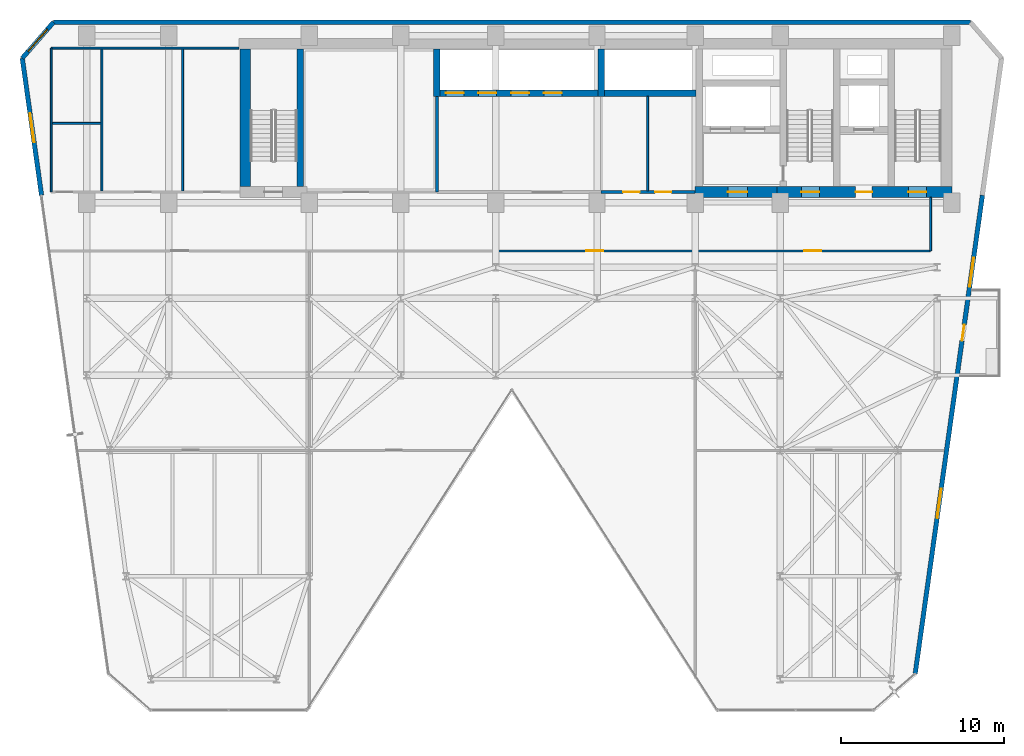
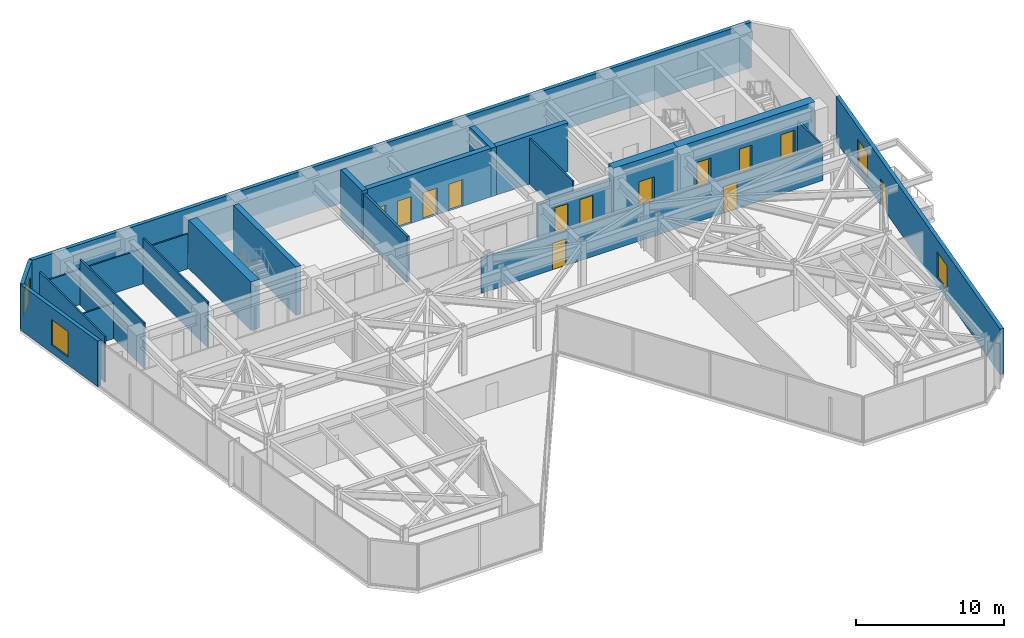
# One storey, part 22 of 26: 22 walls, 13 doors, 4 windows, 17 openings.
"""IFC4 building model written with IfcOpenShell, lengths in metres."""

import ifcopenshell
import ifcopenshell.guid

model = None  # the IFC model being written
_history = None  # IfcOwnerHistory: only IFC2X3 demands one
_inside = {}  # id of a spatial element -> (the spatial element, [elements in it])
_under = {}  # id of a project, library or spatial element -> (it, [spatial elements below it])
_declared = {}  # id of a project -> (the project, [libraries it declares])
_typed = {}  # id of a type object -> (the type object, [elements of that type])
_made_of = {}  # id of a material, layer set ... -> (it, [elements and type objects made of it])


def new_model(schema):
    """Start an empty IFC model of exactly this schema.

    Asked for "IFC4X3", IfcOpenShell would pick the latest addendum, in which some entities
    have other attributes; the version numbers below select the first issue.
    IFC2X3 requires an IfcOwnerHistory on every rooted entity: one is made here for all.
    """
    global model, _history
    if schema == "IFC4X3":
        model = ifcopenshell.file(schema_version=(4, 3, 0, 0))
    else:
        model = ifcopenshell.file(schema=schema)
    _inside.clear()
    _under.clear()
    _declared.clear()
    _typed.clear()
    _made_of.clear()
    _history = None
    if model.schema == "IFC2X3":
        org = make("IfcOrganization", Name="unknown")
        user = make(
            "IfcPersonAndOrganization",
            ThePerson=make("IfcPerson", FamilyName="unknown"),
            TheOrganization=org,
        )
        app = make(
            "IfcApplication",
            ApplicationDeveloper=org,
            Version="unknown",
            ApplicationFullName="unknown",
            ApplicationIdentifier="unknown",
        )
        _history = make(
            "IfcOwnerHistory",
            OwningUser=user,
            OwningApplication=app,
            ChangeAction="ADDED",
            CreationDate=0,
        )
    return model


def make(cls, **values):
    """One entity of the class cls with the attributes given. An attribute that is None is left unset."""
    return model.create_entity(
        cls, **{name: value for name, value in values.items() if value is not None}
    )


def rooted(cls, **values):
    """An entity with a GlobalId (a new one), such as an element, a storey or a relation."""
    return make(cls, GlobalId=ifcopenshell.guid.new(), OwnerHistory=_history, **values)


def si_unit(unit_type, name, prefix=None):
    """IfcSIUnit, for example si_unit("LENGTHUNIT", "METRE", prefix="MILLI")."""
    return make("IfcSIUnit", UnitType=unit_type, Prefix=prefix, Name=name)


def assignment(units):
    """IfcUnitAssignment: the units of a project."""
    return None if units is None else make("IfcUnitAssignment", Units=units)


def point(xyz):
    """IfcCartesianPoint."""
    return None if xyz is None else make("IfcCartesianPoint", Coordinates=xyz)


def direction(xyz):
    """IfcDirection."""
    return None if xyz is None else make("IfcDirection", DirectionRatios=xyz)


def frame(location, z_axis=None, x_axis=None):
    """IfcAxis2Placement3D, a coordinate frame: its origin and axes. An axis left out is left unset."""
    return make(
        "IfcAxis2Placement3D",
        Location=point(location),
        Axis=direction(z_axis),
        RefDirection=direction(x_axis),
    )


def frame_2d(location, x_axis=None):
    """IfcAxis2Placement2D, a coordinate frame in the plane: its origin and x axis."""
    return make(
        "IfcAxis2Placement2D", Location=point(location), RefDirection=direction(x_axis)
    )


def origin():
    """The frame at (0, 0, 0) with its axes left unset."""
    return frame((0.0, 0.0, 0.0))


def place(relative_to, where):
    """IfcLocalPlacement: puts the frame where relative to a parent placement (None: the world)."""
    return make(
        "IfcLocalPlacement", PlacementRelTo=relative_to, RelativePlacement=where
    )


def context(
    kind, dimensions, precision=None, world=None, true_north=None, identifier=None
):
    """IfcGeometricRepresentationContext, for example the 3D "Model" context."""
    return make(
        "IfcGeometricRepresentationContext",
        ContextIdentifier=identifier,
        ContextType=kind,
        CoordinateSpaceDimension=dimensions,
        Precision=precision,
        WorldCoordinateSystem=world,
        TrueNorth=true_north,
    )


def subcontext(parent, identifier, kind, view, scale=None):
    """IfcGeometricRepresentationSubContext, for example "Body" below "Model"."""
    return make(
        "IfcGeometricRepresentationSubContext",
        ContextIdentifier=identifier,
        ContextType=kind,
        ParentContext=parent,
        TargetScale=scale,
        TargetView=view,
    )


def project(units=None, contexts=None):
    """IfcProject with its units and contexts."""
    return rooted(
        "IfcProject",
        Name="project",
        RepresentationContexts=contexts,
        UnitsInContext=assignment(units),
    )


def spatial(cls, under=None, at=None, **own):
    """A site, building, storey or space (cls), placed at a placement, below another one or the project."""
    s = rooted(cls, ObjectPlacement=at, **own)
    if under is not None:
        _under.setdefault(under.id(), (under, []))[1].append(s)
    return s


def profile(cls, at=None, kind="AREA", **sizes):
    """A parametric profile (cls). Its sizes go by their IFC names, for example OverallWidth=200.0."""
    return make(cls, ProfileType=kind, Position=at, **sizes)


def rectangle(**sizes):
    """IfcRectangleProfileDef."""
    return profile("IfcRectangleProfileDef", **sizes)


def extrude(swept, where, along, depth):
    """IfcExtrudedAreaSolid: the profile swept, set in the frame where, extruded along a direction by depth."""
    return make(
        "IfcExtrudedAreaSolid",
        SweptArea=swept,
        Position=where,
        ExtrudedDirection=direction(along),
        Depth=depth,
    )


def shape(context_of_items, identifier, shape_type, items):
    """IfcShapeRepresentation: the items that make up one representation, for example the "Body"."""
    return make(
        "IfcShapeRepresentation",
        ContextOfItems=context_of_items,
        RepresentationIdentifier=identifier,
        RepresentationType=shape_type,
        Items=items,
    )


def material(Name=None, Category=None):
    """IfcMaterial."""
    return make("IfcMaterial", Name=Name, Category=Category)


def layer(
    of_material, thickness, ventilated=None, Name=None, Category=None, Priority=None
):
    """IfcMaterialLayer: one layer of a wall or slab, of a material (None: an air gap)."""
    return make(
        "IfcMaterialLayer",
        Material=of_material,
        LayerThickness=thickness,
        IsVentilated=ventilated,
        Name=Name,
        Category=Category,
        Priority=Priority,
    )


def layer_set(layers, Name=None):
    """IfcMaterialLayerSet."""
    return make("IfcMaterialLayerSet", MaterialLayers=layers, LayerSetName=Name)


def made_of(thing, what):
    """Note that an element or type object is made of a material, layer set ...; save() writes the relation."""
    if what is not None:
        _made_of.setdefault(what.id(), (what, []))[1].append(thing)
    return thing


def type_object(cls, material=None, **own):
    """A type object (cls), such as IfcWallType, which elements share."""
    return made_of(rooted(cls, **own), material)


def element(
    cls,
    number,
    at=None,
    inside=None,
    cuts=None,
    type_object=None,
    material=None,
    context=None,
    identifier="Body",
    shape_type=None,
    held_by="IfcProductDefinitionShape",
    body=None,
    shapes=None,
    **own,
):
    """One element of the class cls, such as IfcWall. Its Tag is "e" and its number.

    at: its placement. inside: the storey or other place that contains it. cuts: it is an
    opening in that element (IfcRelVoidsElement). A single representation is given by context,
    identifier, shape_type and body (its items); several are given by shapes. held_by: the class
    of the entity that holds the representations. save() writes the other relations.
    """
    e = rooted(cls, Tag="e%d" % number, ObjectPlacement=at, **own)
    if body is not None:
        shapes = [shape(context, identifier, shape_type, body)]
    if shapes is not None:
        e.Representation = make(held_by, Representations=shapes)
    if inside is not None:
        _inside.setdefault(inside.id(), (inside, []))[1].append(e)
    if cuts is not None:
        rooted(
            "IfcRelVoidsElement", RelatingBuildingElement=cuts, RelatedOpeningElement=e
        )
    if type_object is not None:
        _typed.setdefault(type_object.id(), (type_object, []))[1].append(e)
    return made_of(e, material)


def fill(opening, filler):
    """IfcRelFillsElement: the door or window that sits in an opening."""
    return rooted(
        "IfcRelFillsElement",
        RelatingOpeningElement=opening,
        RelatedBuildingElement=filler,
    )


def aggregate(whole, parts):
    """IfcRelAggregates: a whole, such as a stair, and the parts it consists of."""
    return rooted("IfcRelAggregates", RelatingObject=whole, RelatedObjects=parts)


def save(model, path):
    """Write the relations noted so far, then the file.

    IfcRelAggregates (storeys below a building ...), IfcRelContainedInSpatialStructure (elements
    in a storey), IfcRelDefinesByType, IfcRelAssociatesMaterial and IfcRelDeclares: one each for
    every whole, place, type object, material and project.
    """
    for whole, parts in _under.values():
        aggregate(whole, parts)
    for where, things in _inside.values():
        rooted(
            "IfcRelContainedInSpatialStructure",
            RelatedElements=things,
            RelatingStructure=where,
        )
    for kind, things in _typed.values():
        rooted("IfcRelDefinesByType", RelatedObjects=things, RelatingType=kind)
    for what, things in _made_of.values():
        rooted("IfcRelAssociatesMaterial", RelatedObjects=things, RelatingMaterial=what)
    for by, libraries in _declared.values():
        rooted("IfcRelDeclares", RelatingContext=by, RelatedDefinitions=libraries)
    model.write(path)


model = new_model("IFC4")

# Units and contexts
model_context = context("Model", 3, precision=1e-05, world=origin(), true_north=direction((0.0, 1.0)))
body_context = subcontext(model_context, "Body", "Model", "MODEL_VIEW")
ifc_project = project(units=[si_unit("LENGTHUNIT", "METRE"), si_unit("AREAUNIT", "SQUARE_METRE"), si_unit("VOLUMEUNIT", "CUBIC_METRE"), si_unit("PLANEANGLEUNIT", "RADIAN"), si_unit("MASSUNIT", "GRAM", prefix="KILO")], contexts=[model_context])

# Site, building, storey
site_placement = place(None, origin())
site = spatial("IfcSite", under=ifc_project, at=site_placement, CompositionType="ELEMENT")
building_placement = place(site_placement, origin())
building = spatial("IfcBuilding", under=site, at=building_placement, Name="Kravanh Interchange Tower", CompositionType="ELEMENT")
storey_placement = place(building_placement, frame((0.0, 0.0, 148.0)))
storey = spatial("IfcBuildingStorey", under=building, at=storey_placement, Name="L35", CompositionType="ELEMENT", Elevation=148.0)

# Walls
ifc_material_1 = material(Name="Double Acoustic Gypsum Board and Mineral Wool")
ifc_layer_1 = layer(ifc_material_1, 0.1201171875)
ifc_layer_set_1 = layer_set([ifc_layer_1], Name="Acoustic Office Drywall Partition 120mm")
wall_type_1 = type_object("IfcWallType", Name="Acoustic Office Drywall Partition 120mm", PredefinedType="PARTITIONING", material=ifc_layer_set_1)
wall_1_placement = place(storey_placement, frame((47.89990234375, 38.068115234375, 0.0), z_axis=(0.0, 0.0, 1.0), x_axis=(0.0, 1.0, 0.0)))
element("IfcWall", 1, at=wall_1_placement, inside=storey, type_object=wall_type_1, Name="L35 Interior Partition 2", PredefinedType="PARTITIONING", context=body_context, shape_type="SweptSolid", body=[
    extrude(rectangle(XDim=5.77392578125, YDim=0.1201171875, at=frame_2d((2.886962890625, 0.0))), origin(), (0.0, 0.0, 1.0), 3.75),
])
wall_2_placement = place(storey_placement, frame((11.419921875, 38.0, 0.0), z_axis=(0.0, 0.0, 1.0), x_axis=(0.0, 1.0, 0.0)))
element("IfcWall", 2, at=wall_2_placement, inside=storey, type_object=wall_type_1, Name="L35 Restroom West Enclosure 7", PredefinedType="PARTITIONING", context=body_context, shape_type="SweptSolid", body=[
    extrude(rectangle(XDim=8.800048828125, YDim=0.1201171875, at=frame_2d((4.39990234375, 0.0))), origin(), (0.0, 0.0, 1.0), 3.75),
])
wall_3_placement = place(storey_placement, frame((11.419921875, 46.800048828125, 0.0), z_axis=(0.0, 0.0, 1.0), x_axis=(1.0, 0.0, 0.0)))
element("IfcWall", 3, at=wall_3_placement, inside=storey, type_object=wall_type_1, Name="L35 Restroom North Enclosure 8", PredefinedType="PARTITIONING", context=body_context, shape_type="SweptSolid", body=[
    extrude(rectangle(XDim=11.47998046875, YDim=0.1201171875, at=frame_2d((5.739990234375, 0.0))), origin(), (0.0, 0.0, 1.0), 2.89404296875),
])
for number, where, z_axis, x_axis, name in (
    (4, (14.52001953125, 38.068115234375, 0.0), (0.0, 0.0, 1.0), (0.0, 1.0, 0.0), "L35 Interior Partition 9"),
    (5, (19.449951171875, 38.068115234375, 0.0), (0.0, 0.0, 1.0), (0.0, 1.0, 0.0), "L35 Interior Partition 10"),
):
    element("IfcWall", number, at=place(storey_placement, frame(where, z_axis=z_axis, x_axis=x_axis)), inside=storey, type_object=wall_type_1, Name=name, PredefinedType="PARTITIONING", context=body_context, shape_type="SweptSolid", body=[
        extrude(rectangle(XDim=8.663818359375, YDim=0.1201171875, at=frame_2d((4.33203125, 0.0))), origin(), (0.0, 0.0, 1.0), 3.75),
    ])
wall_4_placement = place(storey_placement, frame((11.488037109375, 42.199951171875, 0.0), z_axis=(0.0, 0.0, 1.0), x_axis=(1.0, 0.0, 0.0)))
element("IfcWall", 6, at=wall_4_placement, inside=storey, type_object=wall_type_1, Name="L35 Interior Partition 11", PredefinedType="PARTITIONING", context=body_context, shape_type="SweptSolid", body=[
    extrude(rectangle(XDim=2.9638671875, YDim=0.1201171875, at=frame_2d((1.48193359375, 0.0))), origin(), (0.0, 0.0, 1.0), 2.89404296875),
])

# Wall, openings, doors
wall_5_placement = place(storey_placement, frame((38.60009765625, 34.39990234375, 0.0), z_axis=(0.0, 0.0, 1.0), x_axis=(1.0, 0.0, 0.0)))
wall_5 = element("IfcWall", 7, at=wall_5_placement, inside=storey, type_object=wall_type_1, Name="L35 Interior Partition 13", PredefinedType="PARTITIONING", context=body_context, shape_type="SweptSolid", body=[
    extrude(rectangle(XDim=26.599853515625, YDim=0.1201171875, at=frame_2d((13.2998046875, 0.0))), origin(), (0.0, 0.0, 1.0), 2.89404296875),
])
opening_1_placement = place(wall_5_placement, frame((5.530029296875, 0.0, 0.0)))
opening_1 = element("IfcOpeningElement", 8, at=opening_1_placement, cuts=wall_5, Name="Opening D-105", PredefinedType="OPENING", context=body_context, shape_type="SweptSolid", body=[
    extrude(rectangle(XDim=1.050048828125, YDim=2.199951171875, at=frame_2d((0.52490234375, 1.10009765625))), frame((0.0, 0.070068359375, 0.0), z_axis=(0.0, -1.0, 0.0), x_axis=(1.0, 0.0, 0.0)), (0.0, 0.0, 1.0), 0.14013671875),
])
opening_2_placement = place(wall_5_placement, frame((18.875, 0.0, 0.0)))
opening_2 = element("IfcOpeningElement", 9, at=opening_2_placement, cuts=wall_5, Name="Opening D-105", PredefinedType="OPENING", context=body_context, shape_type="SweptSolid", body=[
    extrude(rectangle(XDim=1.050048828125, YDim=2.199951171875, at=frame_2d((0.52490234375, 1.10009765625))), frame((0.0, 0.070068359375, 0.0), z_axis=(0.0, -1.0, 0.0), x_axis=(1.0, 0.0, 0.0)), (0.0, 0.0, 1.0), 0.14013671875),
])
ifc_material_2 = material(Name="Acoustic Glazed Oak and Aluminium", Category="aluminium")
door_type_1 = type_object("IfcDoorType", Name="Office Workplace Door 1050x2200", OperationType="NOTDEFINED", PredefinedType="DOOR", material=ifc_material_2)
door_1_placement = place(opening_1_placement, origin())
door_1 = element("IfcDoor", 10, at=door_1_placement, inside=storey, type_object=door_type_1, Name="L35 Central Deeds Vault Store 6B Door", OperationType="SINGLE_SWING_RIGHT", OverallHeight=2.199951171875, OverallWidth=1.050048828125, PredefinedType="DOOR", context=body_context, shape_type="SweptSolid", body=[
    extrude(rectangle(XDim=1.050048828125, YDim=2.199951171875, at=frame_2d((0.52490234375, 1.10009765625))), frame((0.0, 0.02490234375, 0.0), z_axis=(0.0, -1.0, 0.0), x_axis=(1.0, 0.0, 0.0)), (0.0, 0.0, 1.0), 0.050048828125),
])
fill(opening_1, door_1)
door_2_placement = place(opening_2_placement, origin())
door_2 = element("IfcDoor", 11, at=door_2_placement, inside=storey, type_object=door_type_1, Name="L35 East Balcony Partner Office 6C Door", OperationType="SINGLE_SWING_RIGHT", OverallHeight=2.199951171875, OverallWidth=1.050048828125, PredefinedType="DOOR", context=body_context, shape_type="SweptSolid", body=[
    extrude(rectangle(XDim=1.050048828125, YDim=2.199951171875, at=frame_2d((0.52490234375, 1.10009765625))), frame((0.0, 0.02490234375, 0.0), z_axis=(0.0, -1.0, 0.0), x_axis=(1.0, 0.0, 0.0)), (0.0, 0.0, 1.0), 0.050048828125),
])
fill(opening_2, door_2)

# Wall
wall_6_placement = place(storey_placement, frame((65.199951171875, 34.39990234375, 0.0), z_axis=(0.0, 0.0, 1.0), x_axis=(0.0, 1.0, 0.0)))
element("IfcWall", 12, at=wall_6_placement, inside=storey, type_object=wall_type_1, Name="L35 Interior Partition 14", PredefinedType="PARTITIONING", context=body_context, shape_type="SweptSolid", body=[
    extrude(rectangle(XDim=3.26708984375, YDim=0.1201171875, at=frame_2d((1.633544921875, 0.0))), origin(), (0.0, 0.0, 1.0), 2.89404296875),
])

# Wall, openings, doors
ifc_material_3 = material(Name="Concrete C70/85", Category="concrete")
ifc_layer_2 = layer(ifc_material_3, 0.64990234375)
ifc_layer_set_2 = layer_set([ifc_layer_2], Name="Core Shear Wall Concrete C70/85 650mm")
wall_type_2 = type_object("IfcWallType", Name="Core Shear Wall Concrete C70/85 650mm", PredefinedType="SHEAR", material=ifc_layer_set_2)
wall_7_placement = place(storey_placement, frame((55.800048828125, 38.0, 0.0), z_axis=(0.0, 0.0, 1.0), x_axis=(1.0, 0.0, 0.0)))
wall_7 = element("IfcWall", 13, at=wall_7_placement, inside=storey, type_object=wall_type_2, Name="L35 East Core South Shear Wall", PredefinedType="SHEAR", context=body_context, shape_type="SweptSolid", body=[
    extrude(rectangle(XDim=10.699951171875, YDim=0.64990234375, at=frame_2d((5.35009765625, 0.0))), origin(), (0.0, 0.0, 1.0), 4.0),
])
opening_3_placement = place(wall_7_placement, frame((1.5, 0.0, 0.0)))
opening_3 = element("IfcOpeningElement", 14, at=opening_3_placement, cuts=wall_7, Name="Opening D-STAIR-110", PredefinedType="OPENING", context=body_context, shape_type="SweptSolid", body=[
    extrude(rectangle(XDim=1.10009765625, YDim=2.199951171875, at=frame_2d((0.550048828125, 1.10009765625))), frame((0.0, 0.3349609375, 0.0), z_axis=(0.0, -1.0, 0.0), x_axis=(1.0, 0.0, 0.0)), (0.0, 0.0, 1.0), 0.669921875),
])
opening_4_placement = place(wall_7_placement, frame((4.820068359375, 0.0, 0.0)))
opening_4 = element("IfcOpeningElement", 15, at=opening_4_placement, cuts=wall_7, Name="Opening D-HOTEL-100", PredefinedType="OPENING", context=body_context, shape_type="SweptSolid", body=[
    extrude(rectangle(XDim=1.0, YDim=2.14990234375, at=frame_2d((0.5, 1.074951171875))), frame((0.0, 0.3349609375, 0.0), z_axis=(0.0, -1.0, 0.0), x_axis=(1.0, 0.0, 0.0)), (0.0, 0.0, 1.0), 0.669921875),
])
opening_5_placement = place(wall_7_placement, frame((8.050048828125, 0.0, 0.0)))
opening_5 = element("IfcOpeningElement", 16, at=opening_5_placement, cuts=wall_7, Name="Opening D-STAIR-110", PredefinedType="OPENING", context=body_context, shape_type="SweptSolid", body=[
    extrude(rectangle(XDim=1.10009765625, YDim=2.199951171875, at=frame_2d((0.550048828125, 1.10009765625))), frame((0.0, 0.3349609375, 0.0), z_axis=(0.0, -1.0, 0.0), x_axis=(1.0, 0.0, 0.0)), (0.0, 0.0, 1.0), 0.669921875),
])
ifc_material_4 = material(Name="Structural Steel S355", Category="steel")
door_type_2 = type_object("IfcDoorType", Name="Fire-Rated Exit Stair Door 1100x2200", OperationType="NOTDEFINED", PredefinedType="DOOR", material=ifc_material_4)
door_3_placement = place(opening_3_placement, origin())
door_3 = element("IfcDoor", 17, at=door_3_placement, inside=storey, type_object=door_type_2, Name="L35 Exit Stair ST2 Door", OperationType="SINGLE_SWING_RIGHT", OverallHeight=2.199951171875, OverallWidth=1.10009765625, PredefinedType="DOOR", context=body_context, shape_type="SweptSolid", body=[
    extrude(rectangle(XDim=1.10009765625, YDim=2.199951171875, at=frame_2d((0.550048828125, 1.10009765625))), frame((0.0, 0.02490234375, 0.0), z_axis=(0.0, -1.0, 0.0), x_axis=(1.0, 0.0, 0.0)), (0.0, 0.0, 1.0), 0.050048828125),
])
fill(opening_3, door_3)
door_4_placement = place(opening_5_placement, origin())
door_4 = element("IfcDoor", 18, at=door_4_placement, inside=storey, type_object=door_type_2, Name="L35 Exit Stair ST1 Door", OperationType="SINGLE_SWING_RIGHT", OverallHeight=2.199951171875, OverallWidth=1.10009765625, PredefinedType="DOOR", context=body_context, shape_type="SweptSolid", body=[
    extrude(rectangle(XDim=1.10009765625, YDim=2.199951171875, at=frame_2d((0.550048828125, 1.10009765625))), frame((0.0, 0.02490234375, 0.0), z_axis=(0.0, -1.0, 0.0), x_axis=(1.0, 0.0, 0.0)), (0.0, 0.0, 1.0), 0.050048828125),
])
fill(opening_5, door_4)
ifc_material_5 = material(Name="Fire-Rated Solid Timber Leaf", Category="wood")
door_type_3 = type_object("IfcDoorType", Name="Fire-Rated Suite Entrance Door 1000x2150", OperationType="NOTDEFINED", PredefinedType="DOOR", material=ifc_material_5)
door_5_placement = place(opening_4_placement, origin())
door_5 = element("IfcDoor", 19, at=door_5_placement, inside=storey, type_object=door_type_3, Name="L35 Service Lift Lobby Door", OperationType="SINGLE_SWING_RIGHT", OverallHeight=2.14990234375, OverallWidth=1.0, PredefinedType="DOOR", context=body_context, shape_type="SweptSolid", body=[
    extrude(rectangle(XDim=1.0, YDim=2.14990234375, at=frame_2d((0.5, 1.074951171875))), frame((0.0, 0.02490234375, 0.0), z_axis=(0.0, -1.0, 0.0), x_axis=(1.0, 0.0, 0.0)), (0.0, 0.0, 1.0), 0.050048828125),
])
fill(opening_4, door_5)

# Wall, opening, door
wall_8_placement = place(storey_placement, frame((50.800048828125, 38.0, 0.0), z_axis=(0.0, 0.0, 1.0), x_axis=(1.0, 0.0, 0.0)))
wall_8 = element("IfcWall", 20, at=wall_8_placement, inside=storey, type_object=wall_type_2, Name="L35 Firefighting Lobby South Shear Wall", PredefinedType="SHEAR", context=body_context, shape_type="SweptSolid", body=[
    extrude(rectangle(XDim=5.0, YDim=0.64990234375, at=frame_2d((2.5, 0.0))), origin(), (0.0, 0.0, 1.0), 4.0),
])
opening_6_placement = place(wall_8_placement, frame((2.0, 0.0, 0.0)))
opening_6 = element("IfcOpeningElement", 21, at=opening_6_placement, cuts=wall_8, Name="Opening D-FSAE-120", PredefinedType="OPENING", context=body_context, shape_type="SweptSolid", body=[
    extrude(rectangle(XDim=1.199951171875, YDim=2.199951171875, at=frame_2d((0.60009765625, 1.10009765625))), frame((0.0, 0.3349609375, 0.0), z_axis=(0.0, -1.0, 0.0), x_axis=(1.0, 0.0, 0.0)), (0.0, 0.0, 1.0), 0.669921875),
])
ifc_material_6 = material(Name="Structural Steel S355", Category="steel")
door_type_4 = type_object("IfcDoorType", Name="Fire-Rated Refuge and FSAE Door 1200x2200", OperationType="NOTDEFINED", PredefinedType="DOOR", material=ifc_material_6)
door_6_placement = place(opening_6_placement, origin())
door_6 = element("IfcDoor", 22, at=door_6_placement, inside=storey, type_object=door_type_4, Name="L35 Firefighting Lobby Corridor Door", OperationType="SINGLE_SWING_RIGHT", OverallHeight=2.199951171875, OverallWidth=1.199951171875, PredefinedType="DOOR", context=body_context, shape_type="SweptSolid", body=[
    extrude(rectangle(XDim=1.199951171875, YDim=2.199951171875, at=frame_2d((0.60009765625, 1.10009765625))), frame((0.0, 0.02490234375, 0.0), z_axis=(0.0, -1.0, 0.0), x_axis=(1.0, 0.0, 0.0)), (0.0, 0.0, 1.0), 0.050048828125),
])
fill(opening_6, door_6)

# Walls
wall_9_placement = place(storey_placement, frame((23.27490234375, 38.324951171875, 0.0), z_axis=(0.0, 0.0, 1.0), x_axis=(0.0, 1.0, 0.0)))
element("IfcWall", 23, at=wall_9_placement, inside=storey, type_object=wall_type_2, Name="L35 Stair ST3 West Shear Wall", PredefinedType="SHEAR", context=body_context, shape_type="SweptSolid", body=[
    extrude(rectangle(XDim=8.425048828125, YDim=0.64990234375, at=frame_2d((4.21240234375, 0.0))), origin(), (0.0, 0.0, 1.0), 4.0),
])
ifc_material_7 = material(Name="Concrete C80/95", Category="concrete")
ifc_layer_3 = layer(ifc_material_7, 0.39990234375)
ifc_layer_set_3 = layer_set([ifc_layer_3], Name="Core Shear Wall Concrete C80/95 400mm")
wall_type_3 = type_object("IfcWallType", Name="Core Shear Wall Concrete C80/95 400mm", PredefinedType="SHEAR", material=ifc_layer_set_3)
wall_10_placement = place(storey_placement, frame((45.25, 44.050048828125, 0.0), z_axis=(0.0, 0.0, 1.0), x_axis=(1.0, 0.0, 0.0)))
element("IfcWall", 24, at=wall_10_placement, inside=storey, type_object=wall_type_3, Name="L35 High-Rise Lift Shaft South Wall", PredefinedType="SHEAR", context=body_context, shape_type="SweptSolid", body=[
    extrude(rectangle(XDim=5.60009765625, YDim=0.39990234375, at=frame_2d((2.800048828125, 0.0))), origin(), (0.0, 0.0, 1.0), 4.0),
])
wall_11_placement = place(storey_placement, frame((45.050048828125, 43.85009765625, 0.0), z_axis=(0.0, 0.0, 1.0), x_axis=(0.0, 1.0, 0.0)))
element("IfcWall", 25, at=wall_11_placement, inside=storey, type_object=wall_type_3, Name="L35 High-Rise Lift Shaft West Wall", PredefinedType="SHEAR", context=body_context, shape_type="SweptSolid", body=[
    extrude(rectangle(XDim=2.89990234375, YDim=0.39990234375, at=frame_2d((1.449951171875, 0.0))), origin(), (0.0, 0.0, 1.0), 4.0),
])

# Wall, openings, doors
wall_12_placement = place(storey_placement, frame((35.199951171875, 44.050048828125, 0.0), z_axis=(0.0, 0.0, 1.0), x_axis=(1.0, 0.0, 0.0)))
wall_12 = element("IfcWall", 26, at=wall_12_placement, inside=storey, type_object=wall_type_3, Name="L35 Mid-Rise Lift Shaft South Wall", PredefinedType="SHEAR", context=body_context, shape_type="SweptSolid", body=[
    extrude(rectangle(XDim=9.650146484375, YDim=0.39990234375, at=frame_2d((4.8251953125, 0.0))), origin(), (0.0, 0.0, 1.0), 4.0),
])
opening_7_placement = place(wall_12_placement, frame((0.35009765625, 0.0, 0.0)))
opening_7 = element("IfcOpeningElement", 27, at=opening_7_placement, cuts=wall_12, Name="Opening LD01", PredefinedType="OPENING", context=body_context, shape_type="SweptSolid", body=[
    extrude(rectangle(XDim=1.10009765625, YDim=2.199951171875, at=frame_2d((0.550048828125, 1.10009765625))), frame((0.0, 0.2099609375, 0.0), z_axis=(0.0, -1.0, 0.0), x_axis=(1.0, 0.0, 0.0)), (0.0, 0.0, 1.0), 0.419921875),
])
opening_8_placement = place(wall_12_placement, frame((2.35009765625, 0.0, 0.0)))
opening_8 = element("IfcOpeningElement", 28, at=opening_8_placement, cuts=wall_12, Name="Opening LD01", PredefinedType="OPENING", context=body_context, shape_type="SweptSolid", body=[
    extrude(rectangle(XDim=1.10009765625, YDim=2.199951171875, at=frame_2d((0.550048828125, 1.10009765625))), frame((0.0, 0.2099609375, 0.0), z_axis=(0.0, -1.0, 0.0), x_axis=(1.0, 0.0, 0.0)), (0.0, 0.0, 1.0), 0.419921875),
])
opening_9_placement = place(wall_12_placement, frame((4.35009765625, 0.0, 0.0)))
opening_9 = element("IfcOpeningElement", 29, at=opening_9_placement, cuts=wall_12, Name="Opening LD01", PredefinedType="OPENING", context=body_context, shape_type="SweptSolid", body=[
    extrude(rectangle(XDim=1.10009765625, YDim=2.199951171875, at=frame_2d((0.550048828125, 1.10009765625))), frame((0.0, 0.2099609375, 0.0), z_axis=(0.0, -1.0, 0.0), x_axis=(1.0, 0.0, 0.0)), (0.0, 0.0, 1.0), 0.419921875),
])
opening_10_placement = place(wall_12_placement, frame((6.35009765625, 0.0, 0.0)))
opening_10 = element("IfcOpeningElement", 30, at=opening_10_placement, cuts=wall_12, Name="Opening LD01", PredefinedType="OPENING", context=body_context, shape_type="SweptSolid", body=[
    extrude(rectangle(XDim=1.10009765625, YDim=2.199951171875, at=frame_2d((0.550048828125, 1.10009765625))), frame((0.0, 0.2099609375, 0.0), z_axis=(0.0, -1.0, 0.0), x_axis=(1.0, 0.0, 0.0)), (0.0, 0.0, 1.0), 0.419921875),
])
ifc_material_8 = material(Name="Stainless Steel 304", Category="steel")
door_type_5 = type_object("IfcDoorType", Name="Passenger Lift Sliding Landing Door 1100x2200", OperationType="DOUBLE_DOOR_SLIDING", PredefinedType="DOOR", material=ifc_material_8)
door_7_placement = place(opening_7_placement, origin())
door_7 = element("IfcDoor", 31, at=door_7_placement, inside=storey, type_object=door_type_5, Name="L35 Lift LP-M1 Landing Door", OperationType="DOUBLE_DOOR_SLIDING", OverallHeight=2.199951171875, OverallWidth=1.10009765625, PredefinedType="DOOR", context=body_context, shape_type="SweptSolid", body=[
    extrude(rectangle(XDim=1.10009765625, YDim=2.199951171875, at=frame_2d((0.550048828125, 1.10009765625))), frame((0.0, 0.02490234375, 0.0), z_axis=(0.0, -1.0, 0.0), x_axis=(1.0, 0.0, 0.0)), (0.0, 0.0, 1.0), 0.050048828125),
])
fill(opening_7, door_7)
door_8_placement = place(opening_8_placement, origin())
door_8 = element("IfcDoor", 32, at=door_8_placement, inside=storey, type_object=door_type_5, Name="L35 Lift LP-M2 Landing Door", OperationType="DOUBLE_DOOR_SLIDING", OverallHeight=2.199951171875, OverallWidth=1.10009765625, PredefinedType="DOOR", context=body_context, shape_type="SweptSolid", body=[
    extrude(rectangle(XDim=1.10009765625, YDim=2.199951171875, at=frame_2d((0.550048828125, 1.10009765625))), frame((0.0, 0.02490234375, 0.0), z_axis=(0.0, -1.0, 0.0), x_axis=(1.0, 0.0, 0.0)), (0.0, 0.0, 1.0), 0.050048828125),
])
fill(opening_8, door_8)
door_9_placement = place(opening_9_placement, origin())
door_9 = element("IfcDoor", 33, at=door_9_placement, inside=storey, type_object=door_type_5, Name="L35 Lift LP-M3 Landing Door", OperationType="DOUBLE_DOOR_SLIDING", OverallHeight=2.199951171875, OverallWidth=1.10009765625, PredefinedType="DOOR", context=body_context, shape_type="SweptSolid", body=[
    extrude(rectangle(XDim=1.10009765625, YDim=2.199951171875, at=frame_2d((0.550048828125, 1.10009765625))), frame((0.0, 0.02490234375, 0.0), z_axis=(0.0, -1.0, 0.0), x_axis=(1.0, 0.0, 0.0)), (0.0, 0.0, 1.0), 0.050048828125),
])
fill(opening_9, door_9)
door_10_placement = place(opening_10_placement, origin())
door_10 = element("IfcDoor", 34, at=door_10_placement, inside=storey, type_object=door_type_5, Name="L35 Lift LP-M4 Landing Door", OperationType="DOUBLE_DOOR_SLIDING", OverallHeight=2.199951171875, OverallWidth=1.10009765625, PredefinedType="DOOR", context=body_context, shape_type="SweptSolid", body=[
    extrude(rectangle(XDim=1.10009765625, YDim=2.199951171875, at=frame_2d((0.550048828125, 1.10009765625))), frame((0.0, 0.02490234375, 0.0), z_axis=(0.0, -1.0, 0.0), x_axis=(1.0, 0.0, 0.0)), (0.0, 0.0, 1.0), 0.050048828125),
])
fill(opening_10, door_10)

# Walls
wall_13_placement = place(storey_placement, frame((35.0, 43.85009765625, 0.0), z_axis=(0.0, 0.0, 1.0), x_axis=(0.0, 1.0, 0.0)))
element("IfcWall", 35, at=wall_13_placement, inside=storey, type_object=wall_type_3, Name="L35 Mid-Rise Lift Shaft West Wall", PredefinedType="SHEAR", context=body_context, shape_type="SweptSolid", body=[
    extrude(rectangle(XDim=2.89990234375, YDim=0.39990234375, at=frame_2d((1.449951171875, 0.0))), origin(), (0.0, 0.0, 1.0), 4.0),
])
wall_14_placement = place(storey_placement, frame((26.64990234375, 38.324951171875, 0.0), z_axis=(0.0, 0.0, 1.0), x_axis=(0.0, 1.0, 0.0)))
element("IfcWall", 36, at=wall_14_placement, inside=storey, type_object=wall_type_3, Name="L35 Stair ST3 East Shear Wall", PredefinedType="SHEAR", context=body_context, shape_type="SweptSolid", body=[
    extrude(rectangle(XDim=8.425048828125, YDim=0.39990234375, at=frame_2d((4.21240234375, 0.0))), origin(), (0.0, 0.0, 1.0), 4.0),
])

# Wall, opening, window
ifc_material_9 = material(Name="Insulated Precast Concrete C40/50 with Bronze Cladding", Category="concrete")
ifc_layer_4 = layer(ifc_material_9, 0.280029296875)
ifc_layer_set_4 = layer_set([ifc_layer_4], Name="Exterior Insulated Concrete C40/50 Bronze Spandrel Wall 280mm")
wall_type_4 = type_object("IfcWallType", Name="Exterior Insulated Concrete C40/50 Bronze Spandrel Wall 280mm", PredefinedType="STANDARD", material=ifc_layer_set_4)
wall_15_placement = place(storey_placement, frame((10.824951171875, 37.800048828125, 0.0), z_axis=(0.0, 0.0, 1.0), x_axis=(-0.139180610108, 0.990267013371, 0.0)))
wall_15 = element("IfcWall", 37, at=wall_15_placement, inside=storey, type_object=wall_type_4, Name="L35 Exterior Wall 1", PredefinedType="STANDARD", context=body_context, shape_type="SweptSolid", body=[
    extrude(rectangle(XDim=8.46728515625, YDim=0.280029296875, at=frame_2d((4.233642578125, 0.0))), origin(), (0.0, 0.0, 1.0), 3.75),
])
opening_11_placement = place(wall_15_placement, frame((3.273193359375, 0.0, 0.64990234375)))
opening_11 = element("IfcOpeningElement", 38, at=opening_11_placement, cuts=wall_15, Name="Opening WN-180X210", PredefinedType="OPENING", context=body_context, shape_type="SweptSolid", body=[
    extrude(rectangle(XDim=1.800048828125, YDim=2.10009765625, at=frame_2d((0.89990234375, 1.050048828125))), frame((0.0, 0.14990234375, 0.0), z_axis=(0.0, -1.0, 0.0), x_axis=(1.0, 0.0, 0.0)), (0.0, 0.0, 1.0), 0.300048828125),
])
ifc_material_10 = material(Name="Thermally Broken Bronze Aluminium and Low-E Glass", Category="aluminium")
window_type = type_object("IfcWindowType", Name="Tower Pier Window 1800x2100", PartitioningType="SINGLE_PANEL", PredefinedType="WINDOW", material=ifc_material_10)
window_1_placement = place(opening_11_placement, origin())
window_1 = element("IfcWindow", 39, at=window_1_placement, inside=storey, type_object=window_type, Name="L35 Corner Window 1", OverallHeight=2.10009765625, OverallWidth=1.800048828125, PartitioningType="SINGLE_PANEL", PredefinedType="WINDOW", context=body_context, shape_type="SweptSolid", body=[
    extrude(rectangle(XDim=1.800048828125, YDim=2.10009765625, at=frame_2d((0.89990234375, 1.050048828125))), frame((0.0, 0.030029296875, 0.0), z_axis=(0.0, -1.0, 0.0), x_axis=(1.0, 0.0, 0.0)), (0.0, 0.0, 1.0), 0.06005859375),
])
fill(opening_11, window_1)

wall_16_placement = place(storey_placement, frame((9.646484375, 46.184814453125, 0.0), z_axis=(0.0, 0.0, 1.0), x_axis=(0.656070644076, 0.754699483226, 0.0)))
wall_16 = element("IfcWall", 40, at=wall_16_placement, inside=storey, type_object=wall_type_4, Name="L35 Exterior Wall 2", PredefinedType="STANDARD", context=body_context, shape_type="SweptSolid", body=[
    extrude(rectangle(XDim=2.908447265625, YDim=0.280029296875, at=frame_2d((1.4541015625, 0.0))), origin(), (0.0, 0.0, 1.0), 3.75),
])
opening_12_placement = place(wall_16_placement, frame((0.541015625, 0.0, 0.64990234375)))
opening_12 = element("IfcOpeningElement", 41, at=opening_12_placement, cuts=wall_16, Name="Opening WN-180X210", PredefinedType="OPENING", context=body_context, shape_type="SweptSolid", body=[
    extrude(rectangle(XDim=1.800048828125, YDim=2.10009765625, at=frame_2d((0.89990234375, 1.050048828125))), frame((0.0, 0.14990234375, 0.0), z_axis=(0.0, -1.0, 0.0), x_axis=(1.0, 0.0, 0.0)), (0.0, 0.0, 1.0), 0.300048828125),
])
window_2_placement = place(opening_12_placement, origin())
window_2 = element("IfcWindow", 42, at=window_2_placement, inside=storey, type_object=window_type, Name="L35 Corner Window 2", OverallHeight=2.10009765625, OverallWidth=1.800048828125, PartitioningType="SINGLE_PANEL", PredefinedType="WINDOW", context=body_context, shape_type="SweptSolid", body=[
    extrude(rectangle(XDim=1.800048828125, YDim=2.10009765625, at=frame_2d((0.89990234375, 1.050048828125))), frame((0.0, 0.030029296875, 0.0), z_axis=(0.0, -1.0, 0.0), x_axis=(1.0, 0.0, 0.0)), (0.0, 0.0, 1.0), 0.06005859375),
])
fill(opening_12, window_2)

# Wall
wall_17_placement = place(storey_placement, frame((11.5546875, 48.3798828125, 0.0), z_axis=(0.0, 0.0, 1.0), x_axis=(1.0, 0.0, 0.0)))
element("IfcWall", 43, at=wall_17_placement, inside=storey, type_object=wall_type_4, Name="L35 Exterior Wall 3", PredefinedType="STANDARD", context=body_context, shape_type="SweptSolid", body=[
    extrude(rectangle(XDim=56.090576171875, YDim=0.280029296875, at=frame_2d((28.04541015625, 0.0))), origin(), (0.0, 0.0, 1.0), 3.75),
])

# Wall, openings, door, windows
wall_18_placement = place(storey_placement, frame((68.375, 37.800048828125, 0.0), z_axis=(0.0, 0.0, 1.0), x_axis=(-0.13917001236, -0.990268502811, 0.0)))
wall_18 = element("IfcWall", 44, at=wall_18_placement, inside=storey, type_object=wall_type_4, Name="L35 Exterior Wall 6", PredefinedType="STANDARD", context=body_context, shape_type="SweptSolid", body=[
    extrude(rectangle(XDim=29.548828125, YDim=0.280029296875, at=frame_2d((14.7744140625, 0.0))), origin(), (0.0, 0.0, 1.0), 3.75),
])
opening_13_placement = place(wall_18_placement, frame((7.99609375, 0.0, 0.0)))
opening_13 = element("IfcOpeningElement", 45, at=opening_13_placement, cuts=wall_18, Name="Opening ED-BAL100", PredefinedType="OPENING", context=body_context, shape_type="SweptSolid", body=[
    extrude(rectangle(XDim=1.0, YDim=2.14990234375, at=frame_2d((0.5, 1.074951171875))), frame((0.0, 0.14990234375, 0.0), z_axis=(0.0, -1.0, 0.0), x_axis=(1.0, 0.0, 0.0)), (0.0, 0.0, 1.0), 0.300048828125),
])
opening_14_placement = place(wall_18_placement, frame((3.851318359375, 0.0, 0.64990234375)))
opening_14 = element("IfcOpeningElement", 46, at=opening_14_placement, cuts=wall_18, Name="Opening WN-180X210", PredefinedType="OPENING", context=body_context, shape_type="SweptSolid", body=[
    extrude(rectangle(XDim=1.800048828125, YDim=2.10009765625, at=frame_2d((0.89990234375, 1.050048828125))), frame((0.0, 0.14990234375, 0.0), z_axis=(0.0, -1.0, 0.0), x_axis=(1.0, 0.0, 0.0)), (0.0, 0.0, 1.0), 0.300048828125),
])
opening_15_placement = place(wall_18_placement, frame((18.1357421875, 0.0, 0.64990234375)))
opening_15 = element("IfcOpeningElement", 47, at=opening_15_placement, cuts=wall_18, Name="Opening WN-180X210", PredefinedType="OPENING", context=body_context, shape_type="SweptSolid", body=[
    extrude(rectangle(XDim=1.800048828125, YDim=2.10009765625, at=frame_2d((0.89990234375, 1.050048828125))), frame((0.0, 0.14990234375, 0.0), z_axis=(0.0, -1.0, 0.0), x_axis=(1.0, 0.0, 0.0)), (0.0, 0.0, 1.0), 0.300048828125),
])
ifc_material_11 = material(Name="Thermally Broken Bronze Aluminium and Laminated Glass", Category="aluminium")
door_type_6 = type_object("IfcDoorType", Name="Balcony Glazed Door 1000x2150", OperationType="NOTDEFINED", PredefinedType="DOOR", material=ifc_material_11)
door_11_placement = place(opening_13_placement, origin())
door_11 = element("IfcDoor", 48, at=door_11_placement, inside=storey, type_object=door_type_6, Name="L35 E Tree Balcony Access Door", OperationType="SINGLE_SWING_RIGHT", OverallHeight=2.14990234375, OverallWidth=1.0, PredefinedType="DOOR", context=body_context, shape_type="SweptSolid", body=[
    extrude(rectangle(XDim=1.0, YDim=2.14990234375, at=frame_2d((0.5, 1.074951171875))), frame((0.0, 0.02490234375, 0.0), z_axis=(0.0, -1.0, 0.0), x_axis=(1.0, 0.0, 0.0)), (0.0, 0.0, 1.0), 0.050048828125),
])
fill(opening_13, door_11)
window_3_placement = place(opening_14_placement, origin())
window_3 = element("IfcWindow", 49, at=window_3_placement, inside=storey, type_object=window_type, Name="L35 Facade Window 6A", OverallHeight=2.10009765625, OverallWidth=1.800048828125, PartitioningType="SINGLE_PANEL", PredefinedType="WINDOW", context=body_context, shape_type="SweptSolid", body=[
    extrude(rectangle(XDim=1.800048828125, YDim=2.10009765625, at=frame_2d((0.89990234375, 1.050048828125))), frame((0.0, 0.030029296875, 0.0), z_axis=(0.0, -1.0, 0.0), x_axis=(1.0, 0.0, 0.0)), (0.0, 0.0, 1.0), 0.06005859375),
])
fill(opening_14, window_3)
window_4_placement = place(opening_15_placement, origin())
window_4 = element("IfcWindow", 50, at=window_4_placement, inside=storey, type_object=window_type, Name="L35 Facade Window 6B", OverallHeight=2.10009765625, OverallWidth=1.800048828125, PartitioningType="SINGLE_PANEL", PredefinedType="WINDOW", context=body_context, shape_type="SweptSolid", body=[
    extrude(rectangle(XDim=1.800048828125, YDim=2.10009765625, at=frame_2d((0.89990234375, 1.050048828125))), frame((0.0, 0.030029296875, 0.0), z_axis=(0.0, -1.0, 0.0), x_axis=(1.0, 0.0, 0.0)), (0.0, 0.0, 1.0), 0.06005859375),
])
fill(opening_15, window_4)

# Wall, openings, doors
ifc_material_12 = material(Name="Autoclaved Aerated Concrete C30/37 Blockwork", Category="masonry")
ifc_layer_5 = layer(ifc_material_12, 0.179931640625)
ifc_layer_set_5 = layer_set([ifc_layer_5], Name="Fire-Rated Lobby and Corridor Wall Concrete C30/37 180mm")
wall_type_5 = type_object("IfcWallType", Name="Fire-Rated Lobby and Corridor Wall Concrete C30/37 180mm", PredefinedType="STANDARD", material=ifc_layer_set_5)
wall_19_placement = place(storey_placement, frame((45.050048828125, 38.0, 0.0), z_axis=(0.0, 0.0, 1.0), x_axis=(1.0, 0.0, 0.0)))
wall_19 = element("IfcWall", 51, at=wall_19_placement, inside=storey, type_object=wall_type_5, Name="L35 Core South Enclosure 1", PredefinedType="STANDARD", context=body_context, shape_type="SweptSolid", body=[
    extrude(rectangle(XDim=5.75, YDim=0.179931640625, at=frame_2d((2.875, 0.0))), origin(), (0.0, 0.0, 1.0), 2.89404296875),
])
opening_16_placement = place(wall_19_placement, frame((1.35009765625, 0.0, 0.0)))
opening_16 = element("IfcOpeningElement", 52, at=opening_16_placement, cuts=wall_19, Name="Opening D-HOTEL-100", PredefinedType="OPENING", context=body_context, shape_type="SweptSolid", body=[
    extrude(rectangle(XDim=1.0, YDim=2.14990234375, at=frame_2d((0.5, 1.074951171875))), frame((0.0, 0.10009765625, 0.0), z_axis=(0.0, -1.0, 0.0), x_axis=(1.0, 0.0, 0.0)), (0.0, 0.0, 1.0), 0.199951171875),
])
opening_17_placement = place(wall_19_placement, frame((3.300048828125, 0.0, 0.0)))
opening_17 = element("IfcOpeningElement", 53, at=opening_17_placement, cuts=wall_19, Name="Opening D-HOTEL-100", PredefinedType="OPENING", context=body_context, shape_type="SweptSolid", body=[
    extrude(rectangle(XDim=1.0, YDim=2.14990234375, at=frame_2d((0.5, 1.074951171875))), frame((0.0, 0.10009765625, 0.0), z_axis=(0.0, -1.0, 0.0), x_axis=(1.0, 0.0, 0.0)), (0.0, 0.0, 1.0), 0.199951171875),
])
door_12_placement = place(opening_16_placement, origin())
door_12 = element("IfcDoor", 54, at=door_12_placement, inside=storey, type_object=door_type_3, Name="L35 Core Switchroom Door", OperationType="SINGLE_SWING_LEFT", OverallHeight=2.14990234375, OverallWidth=1.0, PredefinedType="DOOR", context=body_context, shape_type="SweptSolid", body=[
    extrude(rectangle(XDim=1.0, YDim=2.14990234375, at=frame_2d((0.5, 1.074951171875))), frame((0.0, 0.02490234375, 0.0), z_axis=(0.0, -1.0, 0.0), x_axis=(1.0, 0.0, 0.0)), (0.0, 0.0, 1.0), 0.050048828125),
])
fill(opening_16, door_12)
door_13_placement = place(opening_17_placement, origin())
door_13 = element("IfcDoor", 55, at=door_13_placement, inside=storey, type_object=door_type_3, Name="L35 Core Archive Door", OperationType="SINGLE_SWING_RIGHT", OverallHeight=2.14990234375, OverallWidth=1.0, PredefinedType="DOOR", context=body_context, shape_type="SweptSolid", body=[
    extrude(rectangle(XDim=1.0, YDim=2.14990234375, at=frame_2d((0.5, 1.074951171875))), frame((0.0, 0.02490234375, 0.0), z_axis=(0.0, -1.0, 0.0), x_axis=(1.0, 0.0, 0.0)), (0.0, 0.0, 1.0), 0.050048828125),
])
fill(opening_17, door_13)

# Wall
wall_20_placement = place(storey_placement, frame((35.0, 38.0, 0.0), z_axis=(0.0, 0.0, 1.0), x_axis=(0.0, 1.0, 0.0)))
element("IfcWall", 56, at=wall_20_placement, inside=storey, type_object=wall_type_5, Name="L35 Interior Partition 4", PredefinedType="STANDARD", context=body_context, shape_type="SweptSolid", body=[
    extrude(rectangle(XDim=5.85009765625, YDim=0.179931640625, at=frame_2d((2.925048828125, 0.0))), origin(), (0.0, 0.0, 1.0), 3.75),
])

save(model, "model.ifc")
